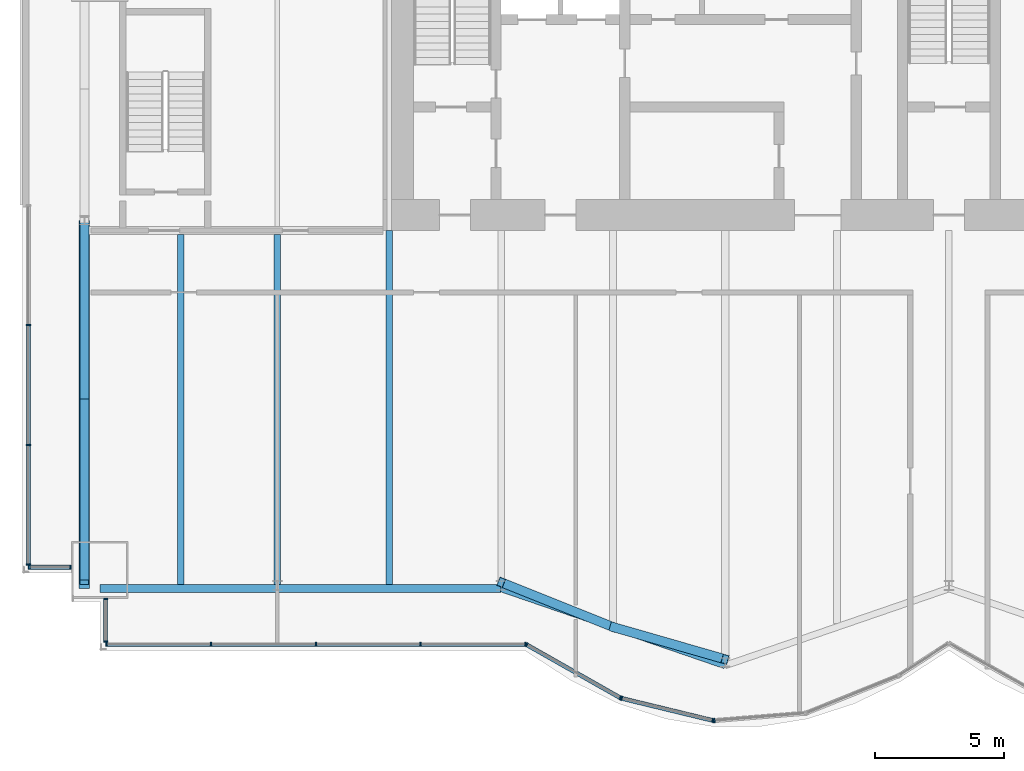
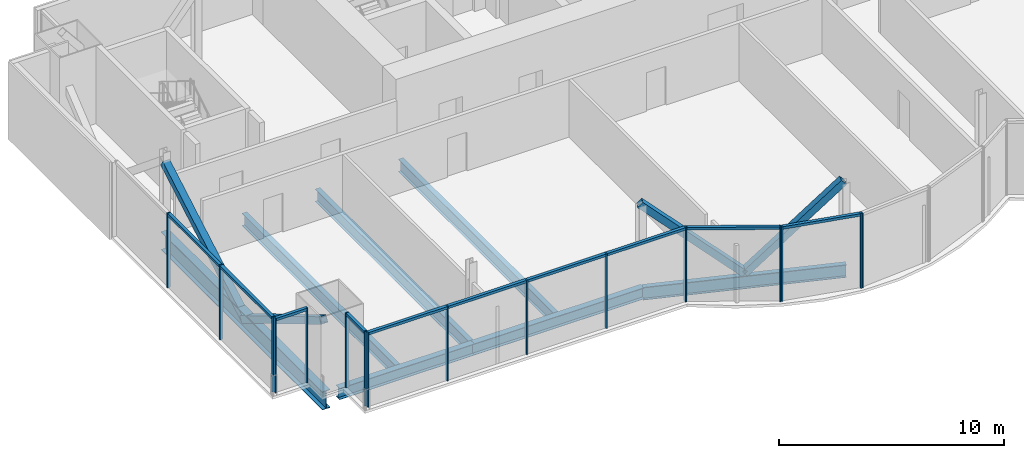
# One storey, part 5 of 19: 31 members, 7 beams, 5 elements without a shape of their own.
"""IFC4 building model written with IfcOpenShell, lengths in metres."""

from ifc_helpers import new_model, si_unit, direction, frame, origin, origin_2d, place, context, subcontext, project, spatial, rectangle, hollow_rectangle, i_section, extrude, material, material_profile, profile_set, type_object, element, aggregate, save


model = new_model("IFC4")

# Units and contexts
model_context = context("Model", 3, precision=1e-05, world=origin(), true_north=direction((0.0, 1.0)))
body_context = subcontext(model_context, "Body", "Model", "MODEL_VIEW")
ifc_project = project(units=[si_unit("LENGTHUNIT", "METRE"), si_unit("AREAUNIT", "SQUARE_METRE"), si_unit("VOLUMEUNIT", "CUBIC_METRE"), si_unit("PLANEANGLEUNIT", "RADIAN"), si_unit("MASSUNIT", "GRAM", prefix="KILO")], contexts=[model_context])

# Site, building, storey
site_placement = place(None, origin())
site = spatial("IfcSite", under=ifc_project, at=site_placement, CompositionType="ELEMENT")
building_placement = place(site_placement, origin())
building = spatial("IfcBuilding", under=site, at=building_placement, Name="Bicima Exchange Tower", CompositionType="ELEMENT")
storey_placement = place(building_placement, frame((0.0, 0.0, 258.199951171875)))
storey = spatial("IfcBuildingStorey", under=building, at=storey_placement, Name="L58", CompositionType="ELEMENT", Elevation=258.199951171875)

# Curtain wall, members
ifc_material_1 = material(Name="Anodised bronze aluminium", Category="aluminium")
curtain_wall_type_1 = type_object("IfcCurtainWallType", Name="End face glass wall", PredefinedType="NOTDEFINED", material=ifc_material_1)
curtain_wall_1_placement = place(storey_placement, origin())
curtain_wall_1 = element("IfcCurtainWall", 1, at=curtain_wall_1_placement, inside=storey, type_object=curtain_wall_type_1, Name="End face glass wall L58 run 2", PredefinedType="NOTDEFINED")
ifc_material_profile_1 = material_profile(ifc_material_1, rectangle(XDim=0.159912109375, YDim=0.06005859375, at=origin_2d()))
ifc_profile_set_1 = profile_set([ifc_material_profile_1], Name="Anodised bronze aluminium")
member_type_1 = type_object("IfcMemberType", Name="End face glass wall mullion 60 x 160", PredefinedType="MULLION", material=ifc_profile_set_1)
member_1_placement = place(storey_placement, frame((-35.77001953125, -16.67724609375, 0.0), z_axis=(0.0, 0.0, 1.0), x_axis=(1.0, 0.0, 0.0)))
member_1 = element("IfcMember", 2, at=member_1_placement, type_object=member_type_1, Name="End face glass wall mullion 2", PredefinedType="MULLION", context=body_context, shape_type="SweptSolid", body=[
    extrude(rectangle(XDim=0.159912109375, YDim=0.06005859375, at=origin_2d()), origin(), (0.0, 0.0, 1.0), 4.050048828125),
])
member_2_placement = place(storey_placement, frame((-35.77001953125, -21.32470703125, 0.0), z_axis=(0.0, 0.0, 1.0), x_axis=(1.0, 0.0, 0.0)))
member_2 = element("IfcMember", 3, at=member_2_placement, type_object=member_type_1, Name="End face glass wall mullion 3", PredefinedType="MULLION", context=body_context, shape_type="SweptSolid", body=[
    extrude(rectangle(XDim=0.159912109375, YDim=0.06005859375, at=origin_2d()), origin(), (0.0, 0.0, 1.0), 4.050048828125),
])
member_3_placement = place(storey_placement, frame((-35.77001953125, -25.971923828125, 0.0), z_axis=(0.0, 0.0, 1.0), x_axis=(1.0, 0.0, 0.0)))
member_3 = element("IfcMember", 4, at=member_3_placement, type_object=member_type_1, Name="End face glass wall mullion 4", PredefinedType="MULLION", context=body_context, shape_type="SweptSolid", body=[
    extrude(rectangle(XDim=0.159912109375, YDim=0.06005859375, at=origin_2d()), origin(), (0.0, 0.0, 1.0), 4.050048828125),
])
ifc_material_profile_2 = material_profile(ifc_material_1, rectangle(XDim=0.159912109375, YDim=0.139892578125, at=origin_2d()))
ifc_profile_set_2 = profile_set([ifc_material_profile_2], Name="Anodised bronze aluminium")
member_type_2 = type_object("IfcMemberType", Name="End face glass wall transom 140 x 160", PredefinedType="USERDEFINED", material=ifc_profile_set_2)
member_4_placement = place(storey_placement, frame((-35.77001953125, -16.707275390625, 3.97998046875), z_axis=(0.0, -1.0, 0.0), x_axis=(1.0, 0.0, 0.0)))
member_4 = element("IfcMember", 5, at=member_4_placement, type_object=member_type_2, Name="End face glass wall transom 2.1", ObjectType="TRANSOM", PredefinedType="USERDEFINED", context=body_context, shape_type="SweptSolid", body=[
    extrude(rectangle(XDim=0.159912109375, YDim=0.139892578125, at=origin_2d()), origin(), (0.0, 0.0, 1.0), 4.58740234375),
])
member_5_placement = place(storey_placement, frame((-35.77001953125, -21.354736328125, 3.97998046875), z_axis=(0.0, -1.0, 0.0), x_axis=(1.0, 0.0, 0.0)))
member_5 = element("IfcMember", 6, at=member_5_placement, type_object=member_type_2, Name="End face glass wall transom 3.1", ObjectType="TRANSOM", PredefinedType="USERDEFINED", context=body_context, shape_type="SweptSolid", body=[
    extrude(rectangle(XDim=0.159912109375, YDim=0.139892578125, at=origin_2d()), origin(), (0.0, 0.0, 1.0), 4.587158203125),
])
aggregate(curtain_wall_1, [member_1, member_2, member_3, member_4, member_5])

# Beams
ifc_material_2 = material(Name="Steel ASTM A992 Gr 50", Category="steel")
ifc_material_profile_3 = material_profile(ifc_material_2, i_section(OverallWidth=0.4013671875, OverallDepth=0.990478515625, WebThickness=0.0166015625, FlangeThickness=0.031005859375, at=origin_2d()))
ifc_profile_set_3 = profile_set([ifc_material_profile_3], Name="Steel ASTM A992 Gr 50")
beam_type_1 = type_object("IfcBeamType", Name="End girder W40x215", PredefinedType="BEAM", material=ifc_profile_set_3)
beam_1_placement = place(storey_placement, frame((-33.60009765625, -12.60009765625, -0.645263671875), z_axis=(0.0, -1.0, 0.0), x_axis=(1.0, 0.0, 0.0)))
element("IfcBeam", 7, at=beam_1_placement, inside=storey, type_object=beam_type_1, Name="End girder", PredefinedType="BEAM", context=body_context, shape_type="SweptSolid", body=[
    extrude(i_section(OverallWidth=0.4013671875, OverallDepth=0.990478515625, WebThickness=0.0166015625, FlangeThickness=0.031005859375, at=origin_2d()), origin(), (0.0, 0.0, 1.0), 14.31201171875),
])
ifc_material_profile_4 = material_profile(ifc_material_2, i_section(OverallWidth=0.25390625, OverallDepth=0.67822265625, WebThickness=0.01171875, FlangeThickness=0.016357421875, at=origin_2d()))
ifc_profile_set_4 = profile_set([ifc_material_profile_4], Name="Steel ASTM A992 Gr 50")
beam_type_2 = type_object("IfcBeamType", Name="Floor beam W27x84", PredefinedType="JOIST", material=ifc_profile_set_4)
for number, where, z_axis, x_axis, name in (
    (8, (-29.85009765625, -13.15234375, -0.489013671875), (0.0, -1.0, 0.0), (1.0, 0.0, 0.0), "Floor beam"),
    (9, (-26.10009765625, -13.15234375, -0.489013671875), (0.0, -1.0, 0.0), (1.0, 0.0, 0.0), "Floor beam"),
):
    element("IfcBeam", number, at=place(storey_placement, frame(where, z_axis=z_axis, x_axis=x_axis)), inside=storey, type_object=beam_type_2, Name=name, PredefinedType="JOIST", context=body_context, shape_type="SweptSolid", body=[
        extrude(i_section(OverallWidth=0.25390625, OverallDepth=0.67822265625, WebThickness=0.01171875, FlangeThickness=0.016357421875, at=origin_2d()), origin(), (0.0, 0.0, 1.0), 13.59716796875),
    ])
beam_2_placement = place(storey_placement, frame((-21.75, -13.0, -0.489013671875), z_axis=(0.0, -1.0, 0.0), x_axis=(1.0, 0.0, 0.0)))
element("IfcBeam", 10, at=beam_2_placement, inside=storey, type_object=beam_type_2, Name="Floor beam", PredefinedType="JOIST", context=body_context, shape_type="SweptSolid", body=[
    extrude(i_section(OverallWidth=0.25390625, OverallDepth=0.67822265625, WebThickness=0.01171875, FlangeThickness=0.016357421875, at=origin_2d()), origin(), (0.0, 0.0, 1.0), 13.74951171875),
])
ifc_material_profile_5 = material_profile(ifc_material_2, i_section(OverallWidth=0.3251953125, OverallDepth=0.612060546875, WebThickness=0.0126953125, FlangeThickness=0.01904296875, at=origin_2d()))
ifc_profile_set_5 = profile_set([ifc_material_profile_5], Name="Steel ASTM A992 Gr 50")
beam_type_3 = type_object("IfcBeamType", Name="Front girder W24x104", PredefinedType="BEAM", material=ifc_profile_set_5)
beam_3_placement = place(storey_placement, frame((-33.0, -26.912109375, -0.4560546875), z_axis=(1.0, 0.0, 0.0), x_axis=(0.0, 1.0, 0.0)))
element("IfcBeam", 11, at=beam_3_placement, inside=storey, type_object=beam_type_3, Name="Front girder", PredefinedType="BEAM", context=body_context, shape_type="SweptSolid", body=[
    extrude(i_section(OverallWidth=0.3251953125, OverallDepth=0.612060546875, WebThickness=0.0126953125, FlangeThickness=0.01904296875, at=origin_2d()), origin(), (0.0, 0.0, 1.0), 6.89990234375),
])
beam_4_placement = place(storey_placement, frame((-26.10009765625, -26.912109375, -0.4560546875), z_axis=(1.0, 0.0, 0.0), x_axis=(0.0, 1.0, 0.0)))
element("IfcBeam", 12, at=beam_4_placement, inside=storey, type_object=beam_type_3, Name="Front girder", PredefinedType="BEAM", context=body_context, shape_type="SweptSolid", body=[
    extrude(i_section(OverallWidth=0.3251953125, OverallDepth=0.612060546875, WebThickness=0.0126953125, FlangeThickness=0.01904296875, at=origin_2d()), origin(), (0.0, 0.0, 1.0), 8.7001953125),
])
ifc_material_profile_6 = material_profile(ifc_material_2, i_section(OverallWidth=0.256591796875, OverallDepth=0.693359375, WebThickness=0.014404296875, FlangeThickness=0.023681640625, at=origin_2d()))
ifc_profile_set_6 = profile_set([ifc_material_profile_6], Name="Steel ASTM A992 Gr 50")
beam_type_4 = type_object("IfcBeamType", Name="Front girder W27x114", PredefinedType="BEAM", material=ifc_profile_set_6)
beam_5_placement = place(storey_placement, frame((-17.39990234375, -26.912109375, -0.49658203125), z_axis=(0.945674616091, -0.32511462668, 0.0), x_axis=(0.32511462668, 0.945674616091, 0.0)))
element("IfcBeam", 13, at=beam_5_placement, inside=storey, type_object=beam_type_4, Name="Front girder", PredefinedType="BEAM", context=body_context, shape_type="SweptSolid", body=[
    extrude(i_section(OverallWidth=0.256591796875, OverallDepth=0.693359375, WebThickness=0.014404296875, FlangeThickness=0.023681640625, at=origin_2d()), origin(), (0.0, 0.0, 1.0), 9.19970703125),
])

# Curtain wall, members
curtain_wall_type_2 = type_object("IfcCurtainWallType", Name="Front glass wall", PredefinedType="NOTDEFINED", material=ifc_material_1)
curtain_wall_2_placement = place(storey_placement, origin())
curtain_wall_2 = element("IfcCurtainWall", 14, at=curtain_wall_2_placement, inside=storey, type_object=curtain_wall_type_2, Name="Front glass wall L58 run 3", PredefinedType="NOTDEFINED")
member_type_3 = type_object("IfcMemberType", Name="Front glass wall mullion 60 x 160", PredefinedType="MULLION", material=ifc_profile_set_1)
member_6_placement = place(storey_placement, frame((-35.739990234375, -26.08203125, 0.0), z_axis=(0.0, 0.0, 1.0), x_axis=(0.0, 1.0, 0.0)))
member_6 = element("IfcMember", 15, at=member_6_placement, type_object=member_type_3, Name="Front glass wall mullion 1", PredefinedType="MULLION", context=body_context, shape_type="SweptSolid", body=[
    extrude(rectangle(XDim=0.159912109375, YDim=0.06005859375, at=origin_2d()), origin(), (0.0, 0.0, 1.0), 4.050048828125),
])
member_7_placement = place(storey_placement, frame((-34.1298828125, -26.08203125, 0.0), z_axis=(0.0, 0.0, 1.0), x_axis=(0.0, 1.0, 0.0)))
member_7 = element("IfcMember", 16, at=member_7_placement, type_object=member_type_3, Name="Front glass wall mullion 2", PredefinedType="MULLION", context=body_context, shape_type="SweptSolid", body=[
    extrude(rectangle(XDim=0.159912109375, YDim=0.06005859375, at=origin_2d()), origin(), (0.0, 0.0, 1.0), 4.050048828125),
])

curtain_wall_3_placement = place(storey_placement, origin())
curtain_wall_3 = element("IfcCurtainWall", 17, at=curtain_wall_3_placement, inside=storey, type_object=curtain_wall_type_2, Name="Front glass wall L58 run 4", PredefinedType="NOTDEFINED")
member_8_placement = place(storey_placement, frame((-32.77001953125, -27.320068359375, 0.0), z_axis=(0.0, 0.0, 1.0), x_axis=(1.0, 0.0, 0.0)))
member_8 = element("IfcMember", 18, at=member_8_placement, type_object=member_type_3, Name="Front glass wall mullion 1", PredefinedType="MULLION", context=body_context, shape_type="SweptSolid", body=[
    extrude(rectangle(XDim=0.159912109375, YDim=0.06005859375, at=origin_2d()), origin(), (0.0, 0.0, 1.0), 4.050048828125),
])
member_9_placement = place(storey_placement, frame((-32.77001953125, -28.971923828125, 0.0), z_axis=(0.0, 0.0, 1.0), x_axis=(1.0, 0.0, 0.0)))
member_9 = element("IfcMember", 19, at=member_9_placement, type_object=member_type_3, Name="Front glass wall mullion 2", PredefinedType="MULLION", context=body_context, shape_type="SweptSolid", body=[
    extrude(rectangle(XDim=0.159912109375, YDim=0.06005859375, at=origin_2d()), origin(), (0.0, 0.0, 1.0), 4.050048828125),
])

curtain_wall_4_placement = place(storey_placement, origin())
curtain_wall_4 = element("IfcCurtainWall", 20, at=curtain_wall_4_placement, inside=storey, type_object=curtain_wall_type_2, Name="Front glass wall L58 run 5", PredefinedType="NOTDEFINED")
member_10_placement = place(storey_placement, frame((-32.739990234375, -29.08203125, 0.0), z_axis=(0.0, 0.0, 1.0), x_axis=(0.0, 1.0, 0.0)))
member_10 = element("IfcMember", 21, at=member_10_placement, type_object=member_type_3, Name="Front glass wall mullion 1", PredefinedType="MULLION", context=body_context, shape_type="SweptSolid", body=[
    extrude(rectangle(XDim=0.159912109375, YDim=0.06005859375, at=origin_2d()), origin(), (0.0, 0.0, 1.0), 4.050048828125),
])
member_11_placement = place(storey_placement, frame((-28.67041015625, -29.08203125, 0.0), z_axis=(0.0, 0.0, 1.0), x_axis=(0.0, 1.0, 0.0)))
member_11 = element("IfcMember", 22, at=member_11_placement, type_object=member_type_3, Name="Front glass wall mullion 2", PredefinedType="MULLION", context=body_context, shape_type="SweptSolid", body=[
    extrude(rectangle(XDim=0.159912109375, YDim=0.06005859375, at=origin_2d()), origin(), (0.0, 0.0, 1.0), 4.050048828125),
])
member_12_placement = place(storey_placement, frame((-24.60107421875, -29.08203125, 0.0), z_axis=(0.0, 0.0, 1.0), x_axis=(0.0, 1.0, 0.0)))
member_12 = element("IfcMember", 23, at=member_12_placement, type_object=member_type_3, Name="Front glass wall mullion 3", PredefinedType="MULLION", context=body_context, shape_type="SweptSolid", body=[
    extrude(rectangle(XDim=0.159912109375, YDim=0.06005859375, at=origin_2d()), origin(), (0.0, 0.0, 1.0), 4.050048828125),
])
member_13_placement = place(storey_placement, frame((-20.531494140625, -29.08203125, 0.0), z_axis=(0.0, 0.0, 1.0), x_axis=(0.0, 1.0, 0.0)))
member_13 = element("IfcMember", 24, at=member_13_placement, type_object=member_type_3, Name="Front glass wall mullion 4", PredefinedType="MULLION", context=body_context, shape_type="SweptSolid", body=[
    extrude(rectangle(XDim=0.159912109375, YDim=0.06005859375, at=origin_2d()), origin(), (0.0, 0.0, 1.0), 4.050048828125),
])
member_14_placement = place(storey_placement, frame((-16.462158203125, -29.08203125, 0.0), z_axis=(0.0, 0.0, 1.0), x_axis=(0.0, 1.0, 0.0)))
member_14 = element("IfcMember", 25, at=member_14_placement, type_object=member_type_3, Name="Front glass wall mullion 5", PredefinedType="MULLION", context=body_context, shape_type="SweptSolid", body=[
    extrude(rectangle(XDim=0.159912109375, YDim=0.06005859375, at=origin_2d()), origin(), (0.0, 0.0, 1.0), 4.050048828125),
])

curtain_wall_5_placement = place(storey_placement, origin())
curtain_wall_5 = element("IfcCurtainWall", 26, at=curtain_wall_5_placement, inside=storey, type_object=curtain_wall_type_2, Name="Front glass wall L58 run 6", PredefinedType="NOTDEFINED")
member_15_placement = place(storey_placement, frame((-16.406005859375, -29.0966796875, 0.0), z_axis=(0.0, 0.0, 1.0), x_axis=(0.493395449343, 0.869805110681, 0.0)))
member_15 = element("IfcMember", 27, at=member_15_placement, type_object=member_type_3, Name="Front glass wall mullion 1", PredefinedType="MULLION", context=body_context, shape_type="SweptSolid", body=[
    extrude(rectangle(XDim=0.159912109375, YDim=0.06005859375, at=origin_2d()), origin(), (0.0, 0.0, 1.0), 4.050048828125),
])
member_16_placement = place(storey_placement, frame((-12.7734375, -31.157470703125, 0.0), z_axis=(0.0, 0.0, 1.0), x_axis=(0.493395449343, 0.869805110681, 0.0)))
member_16 = element("IfcMember", 28, at=member_16_placement, type_object=member_type_3, Name="Front glass wall mullion 2", PredefinedType="MULLION", context=body_context, shape_type="SweptSolid", body=[
    extrude(rectangle(XDim=0.159912109375, YDim=0.06005859375, at=origin_2d()), origin(), (0.0, 0.0, 1.0), 4.050048828125),
])
member_17_placement = place(storey_placement, frame((-12.718017578125, -31.17919921875, 0.0), z_axis=(0.0, 0.0, 1.0), x_axis=(0.235681529503, 0.971830343553, 0.0)))
member_17 = element("IfcMember", 29, at=member_17_placement, type_object=member_type_3, Name="Front glass wall mullion 1", PredefinedType="MULLION", context=body_context, shape_type="SweptSolid", body=[
    extrude(rectangle(XDim=0.159912109375, YDim=0.06005859375, at=origin_2d()), origin(), (0.0, 0.0, 1.0), 4.050048828125),
])
member_18_placement = place(storey_placement, frame((-9.177490234375, -32.037841796875, 0.0), z_axis=(0.0, 0.0, 1.0), x_axis=(0.235681529503, 0.971830343553, 0.0)))
member_18 = element("IfcMember", 30, at=member_18_placement, type_object=member_type_3, Name="Front glass wall mullion 2", PredefinedType="MULLION", context=body_context, shape_type="SweptSolid", body=[
    extrude(rectangle(XDim=0.159912109375, YDim=0.06005859375, at=origin_2d()), origin(), (0.0, 0.0, 1.0), 4.050048828125),
])
member_19_placement = place(storey_placement, frame((-9.118408203125, -32.04248046875, 0.0), z_axis=(0.0, 0.0, 1.0), x_axis=(-0.080588612633, 0.99674744821, 0.0)))
member_19 = element("IfcMember", 31, at=member_19_placement, type_object=member_type_3, Name="Front glass wall mullion 1", PredefinedType="MULLION", context=body_context, shape_type="SweptSolid", body=[
    extrude(rectangle(XDim=0.159912109375, YDim=0.06005859375, at=origin_2d()), origin(), (0.0, 0.0, 1.0), 4.050048828125),
])

# Member
member_type_4 = type_object("IfcMemberType", Name="Front glass wall transom 140 x 160", PredefinedType="USERDEFINED", material=ifc_profile_set_2)
member_20_placement = place(storey_placement, frame((-35.7099609375, -26.08203125, 3.97998046875), z_axis=(1.0, 0.0, 0.0), x_axis=(0.0, 1.0, 0.0)))
member_20 = element("IfcMember", 32, at=member_20_placement, type_object=member_type_4, Name="Front glass wall transom 1.1", ObjectType="TRANSOM", PredefinedType="USERDEFINED", context=body_context, shape_type="SweptSolid", body=[
    extrude(rectangle(XDim=0.159912109375, YDim=0.139892578125, at=origin_2d()), origin(), (0.0, 0.0, 1.0), 1.550048828125),
])

aggregate(curtain_wall_2, [member_6, member_7, member_20])

member_21_placement = place(storey_placement, frame((-32.77001953125, -27.35009765625, 3.97998046875), z_axis=(0.0, -1.0, 0.0), x_axis=(1.0, 0.0, 0.0)))
member_21 = element("IfcMember", 33, at=member_21_placement, type_object=member_type_4, Name="Front glass wall transom 1.1", ObjectType="TRANSOM", PredefinedType="USERDEFINED", context=body_context, shape_type="SweptSolid", body=[
    extrude(rectangle(XDim=0.159912109375, YDim=0.139892578125, at=origin_2d()), origin(), (0.0, 0.0, 1.0), 1.591796875),
])

aggregate(curtain_wall_3, [member_8, member_9, member_21])

member_22_placement = place(storey_placement, frame((-32.7099609375, -29.08203125, 3.97998046875), z_axis=(1.0, 0.0, 0.0), x_axis=(0.0, 1.0, 0.0)))
member_22 = element("IfcMember", 34, at=member_22_placement, type_object=member_type_4, Name="Front glass wall transom 1.1", ObjectType="TRANSOM", PredefinedType="USERDEFINED", context=body_context, shape_type="SweptSolid", body=[
    extrude(rectangle(XDim=0.159912109375, YDim=0.139892578125, at=origin_2d()), origin(), (0.0, 0.0, 1.0), 4.009521484375),
])

member_23_placement = place(storey_placement, frame((-28.640380859375, -29.08203125, 3.97998046875), z_axis=(1.0, 0.0, 0.0), x_axis=(0.0, 1.0, 0.0)))
member_23 = element("IfcMember", 35, at=member_23_placement, type_object=member_type_4, Name="Front glass wall transom 2.1", ObjectType="TRANSOM", PredefinedType="USERDEFINED", context=body_context, shape_type="SweptSolid", body=[
    extrude(rectangle(XDim=0.159912109375, YDim=0.139892578125, at=origin_2d()), origin(), (0.0, 0.0, 1.0), 4.00927734375),
])

member_24_placement = place(storey_placement, frame((-24.571044921875, -29.08203125, 3.97998046875), z_axis=(1.0, 0.0, 0.0), x_axis=(0.0, 1.0, 0.0)))
member_24 = element("IfcMember", 36, at=member_24_placement, type_object=member_type_4, Name="Front glass wall transom 3.1", ObjectType="TRANSOM", PredefinedType="USERDEFINED", context=body_context, shape_type="SweptSolid", body=[
    extrude(rectangle(XDim=0.159912109375, YDim=0.139892578125, at=origin_2d()), origin(), (0.0, 0.0, 1.0), 4.009521484375),
])

member_25_placement = place(storey_placement, frame((-20.501708984375, -29.08203125, 3.97998046875), z_axis=(1.0, 0.0, 0.0), x_axis=(0.0, 1.0, 0.0)))
member_25 = element("IfcMember", 37, at=member_25_placement, type_object=member_type_4, Name="Front glass wall transom 4.1", ObjectType="TRANSOM", PredefinedType="USERDEFINED", context=body_context, shape_type="SweptSolid", body=[
    extrude(rectangle(XDim=0.159912109375, YDim=0.139892578125, at=origin_2d()), origin(), (0.0, 0.0, 1.0), 4.009521484375),
])

aggregate(curtain_wall_4, [member_10, member_11, member_12, member_13, member_14, member_22, member_23, member_24, member_25])

member_26_placement = place(storey_placement, frame((-16.3798828125, -29.111572265625, 3.97998046875), z_axis=(0.869797371721, -0.49340909208, 0.0), x_axis=(0.49340909208, 0.869797371721, 0.0)))
member_26 = element("IfcMember", 38, at=member_26_placement, type_object=member_type_4, Name="Front glass wall transom 1.1", ObjectType="TRANSOM", PredefinedType="USERDEFINED", context=body_context, shape_type="SweptSolid", body=[
    extrude(rectangle(XDim=0.159912109375, YDim=0.139892578125, at=origin_2d()), origin(), (0.0, 0.0, 1.0), 4.1162109375),
])

member_27_placement = place(storey_placement, frame((-12.68896484375, -31.186279296875, 3.97998046875), z_axis=(0.971817951661, -0.235732621477, 0.0), x_axis=(0.235732621477, 0.971817951661, 0.0)))
member_27 = element("IfcMember", 39, at=member_27_placement, type_object=member_type_4, Name="Front glass wall transom 1.1", ObjectType="TRANSOM", PredefinedType="USERDEFINED", context=body_context, shape_type="SweptSolid", body=[
    extrude(rectangle(XDim=0.159912109375, YDim=0.139892578125, at=origin_2d()), origin(), (0.0, 0.0, 1.0), 3.58349609375),
])

aggregate(curtain_wall_5, [member_15, member_16, member_26, member_17, member_18, member_27, member_19])

# Members
ifc_material_3 = material(Name="Steel ASTM A572 Gr 50", Category="steel")
ifc_material_profile_7 = material_profile(ifc_material_3, hollow_rectangle(XDim=0.355712890625, YDim=0.355712890625, WallThickness=0.0146484375, at=origin_2d()))
ifc_profile_set_7 = profile_set([ifc_material_profile_7], Name="Steel ASTM A572 Gr 50")
member_type_5 = type_object("IfcMemberType", Name="Mega brace HSS14x14x5/8", PredefinedType="BRACE", material=ifc_profile_set_7)
member_28_placement = place(storey_placement, frame((-13.050048828125, -28.407470703125, 0.0), z_axis=(0.704477663836, -0.202708327674, 0.680162153495), x_axis=(0.276522876258, 0.961007335511, 0.0)))
element("IfcMember", 40, at=member_28_placement, inside=storey, type_object=member_type_5, Name="Mega brace front", PredefinedType="BRACE", context=body_context, shape_type="SweptSolid", body=[
    extrude(hollow_rectangle(XDim=0.355712890625, YDim=0.355712890625, WallThickness=0.0146484375, at=origin_2d()), origin(), (0.0, 0.0, 1.0), 6.1748046875),
])
member_29_placement = place(storey_placement, frame((-13.050048828125, -28.407470703125, 0.0), z_axis=(-0.691353360339, 0.276471498704, 0.667528307679), x_axis=(-0.371309808925, -0.928509033772, 0.0)))
element("IfcMember", 41, at=member_29_placement, inside=storey, type_object=member_type_5, Name="Mega brace front", PredefinedType="BRACE", context=body_context, shape_type="SweptSolid", body=[
    extrude(hollow_rectangle(XDim=0.355712890625, YDim=0.355712890625, WallThickness=0.0146484375, at=origin_2d()), origin(), (0.0, 0.0, 1.0), 6.291748046875),
])
member_30_placement = place(storey_placement, frame((-33.60009765625, -19.634033203125, -0.645263671875), z_axis=(0.0, -0.858590091642, 0.512662710302), x_axis=(1.0, 0.0, 0.0)))
element("IfcMember", 42, at=member_30_placement, inside=storey, type_object=member_type_5, Name="Mega brace west end", PredefinedType="BRACE", context=body_context, shape_type="SweptSolid", body=[
    extrude(hollow_rectangle(XDim=0.355712890625, YDim=0.355712890625, WallThickness=0.0146484375, at=origin_2d()), origin(), (0.0, 0.0, 1.0), 8.1923828125),
])
member_31_placement = place(storey_placement, frame((-33.60009765625, -19.8779296875, -0.645263671875), z_axis=(0.0, 0.866123664616, 0.499829768614), x_axis=(-1.0, 0.0, 0.0)))
element("IfcMember", 43, at=member_31_placement, inside=storey, type_object=member_type_5, Name="Mega brace west end", PredefinedType="BRACE", context=body_context, shape_type="SweptSolid", body=[
    extrude(hollow_rectangle(XDim=0.355712890625, YDim=0.355712890625, WallThickness=0.0146484375, at=origin_2d()), origin(), (0.0, 0.0, 1.0), 8.40283203125),
])

save(model, "model.ifc")
